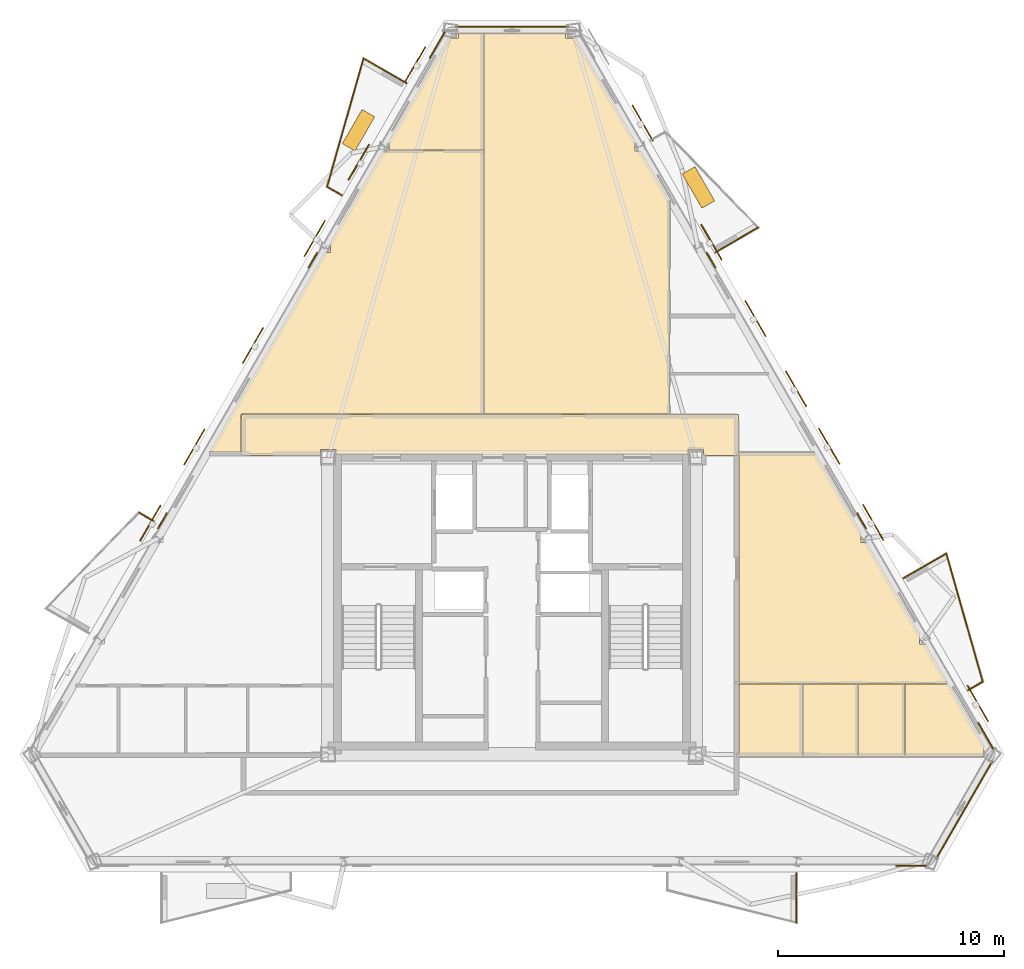
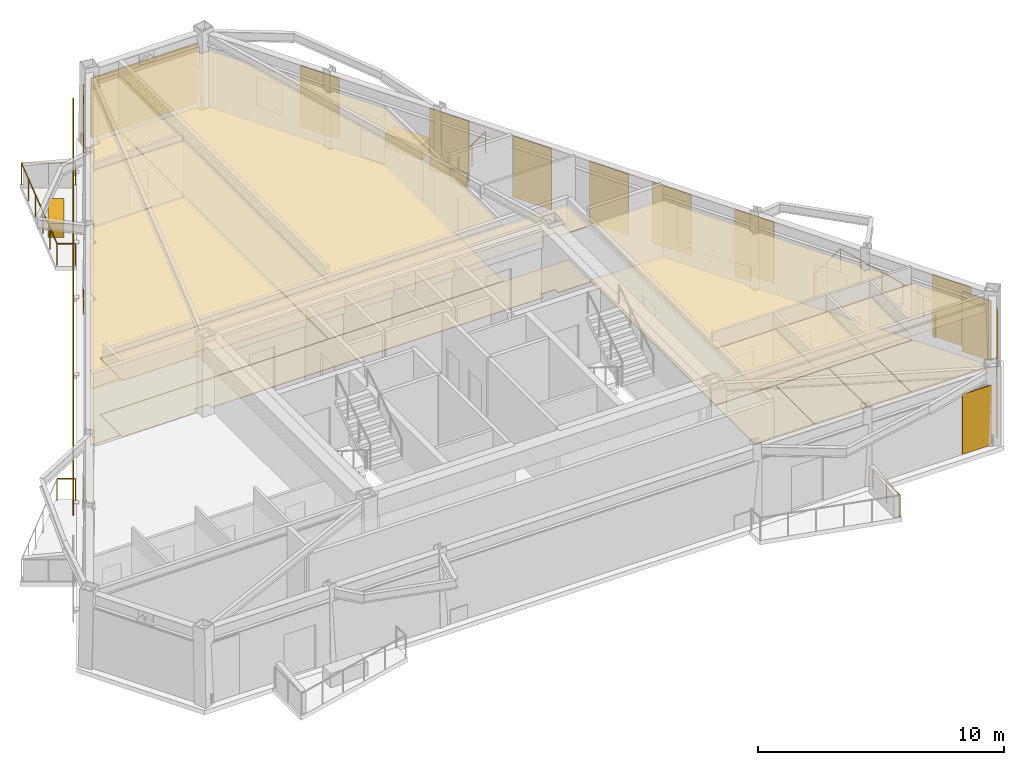
# One storey, part 8 of 9: 29 coverings, 13 shading devices, 9 railings.
"""IFC4 building model written with IfcOpenShell, lengths in metres."""

import ifcopenshell
import ifcopenshell.guid

model = None  # the IFC model being written
_history = None  # IfcOwnerHistory: only IFC2X3 demands one
_inside = {}  # id of a spatial element -> (the spatial element, [elements in it])
_under = {}  # id of a project, library or spatial element -> (it, [spatial elements below it])
_declared = {}  # id of a project -> (the project, [libraries it declares])
_typed = {}  # id of a type object -> (the type object, [elements of that type])
_made_of = {}  # id of a material, layer set ... -> (it, [elements and type objects made of it])


def new_model(schema):
    """Start an empty IFC model of exactly this schema.

    Asked for "IFC4X3", IfcOpenShell would pick the latest addendum, in which some entities
    have other attributes; the version numbers below select the first issue.
    IFC2X3 requires an IfcOwnerHistory on every rooted entity: one is made here for all.
    """
    global model, _history
    if schema == "IFC4X3":
        model = ifcopenshell.file(schema_version=(4, 3, 0, 0))
    else:
        model = ifcopenshell.file(schema=schema)
    _inside.clear()
    _under.clear()
    _declared.clear()
    _typed.clear()
    _made_of.clear()
    _history = None
    if model.schema == "IFC2X3":
        org = make("IfcOrganization", Name="unknown")
        user = make(
            "IfcPersonAndOrganization",
            ThePerson=make("IfcPerson", FamilyName="unknown"),
            TheOrganization=org,
        )
        app = make(
            "IfcApplication",
            ApplicationDeveloper=org,
            Version="unknown",
            ApplicationFullName="unknown",
            ApplicationIdentifier="unknown",
        )
        _history = make(
            "IfcOwnerHistory",
            OwningUser=user,
            OwningApplication=app,
            ChangeAction="ADDED",
            CreationDate=0,
        )
    return model


def make(cls, **values):
    """One entity of the class cls with the attributes given. An attribute that is None is left unset."""
    return model.create_entity(
        cls, **{name: value for name, value in values.items() if value is not None}
    )


def rooted(cls, **values):
    """An entity with a GlobalId (a new one), such as an element, a storey or a relation."""
    return make(cls, GlobalId=ifcopenshell.guid.new(), OwnerHistory=_history, **values)


def si_unit(unit_type, name, prefix=None):
    """IfcSIUnit, for example si_unit("LENGTHUNIT", "METRE", prefix="MILLI")."""
    return make("IfcSIUnit", UnitType=unit_type, Prefix=prefix, Name=name)


def assignment(units):
    """IfcUnitAssignment: the units of a project."""
    return None if units is None else make("IfcUnitAssignment", Units=units)


def point(xyz):
    """IfcCartesianPoint."""
    return None if xyz is None else make("IfcCartesianPoint", Coordinates=xyz)


def direction(xyz):
    """IfcDirection."""
    return None if xyz is None else make("IfcDirection", DirectionRatios=xyz)


def frame(location, z_axis=None, x_axis=None):
    """IfcAxis2Placement3D, a coordinate frame: its origin and axes. An axis left out is left unset."""
    return make(
        "IfcAxis2Placement3D",
        Location=point(location),
        Axis=direction(z_axis),
        RefDirection=direction(x_axis),
    )


def frame_2d(location, x_axis=None):
    """IfcAxis2Placement2D, a coordinate frame in the plane: its origin and x axis."""
    return make(
        "IfcAxis2Placement2D", Location=point(location), RefDirection=direction(x_axis)
    )


def origin():
    """The frame at (0, 0, 0) with its axes left unset."""
    return frame((0.0, 0.0, 0.0))


def origin_2d():
    """The frame at (0, 0) in the plane with its x axis left unset."""
    return frame_2d((0.0, 0.0))


def place(relative_to, where):
    """IfcLocalPlacement: puts the frame where relative to a parent placement (None: the world)."""
    return make(
        "IfcLocalPlacement", PlacementRelTo=relative_to, RelativePlacement=where
    )


def context(
    kind, dimensions, precision=None, world=None, true_north=None, identifier=None
):
    """IfcGeometricRepresentationContext, for example the 3D "Model" context."""
    return make(
        "IfcGeometricRepresentationContext",
        ContextIdentifier=identifier,
        ContextType=kind,
        CoordinateSpaceDimension=dimensions,
        Precision=precision,
        WorldCoordinateSystem=world,
        TrueNorth=true_north,
    )


def subcontext(parent, identifier, kind, view, scale=None):
    """IfcGeometricRepresentationSubContext, for example "Body" below "Model"."""
    return make(
        "IfcGeometricRepresentationSubContext",
        ContextIdentifier=identifier,
        ContextType=kind,
        ParentContext=parent,
        TargetScale=scale,
        TargetView=view,
    )


def project(units=None, contexts=None):
    """IfcProject with its units and contexts."""
    return rooted(
        "IfcProject",
        Name="project",
        RepresentationContexts=contexts,
        UnitsInContext=assignment(units),
    )


def spatial(cls, under=None, at=None, **own):
    """A site, building, storey or space (cls), placed at a placement, below another one or the project."""
    s = rooted(cls, ObjectPlacement=at, **own)
    if under is not None:
        _under.setdefault(under.id(), (under, []))[1].append(s)
    return s


def polyline(points):
    """IfcPolyline through the points."""
    return make("IfcPolyline", Points=[point(p) for p in points])


def profile(cls, at=None, kind="AREA", **sizes):
    """A parametric profile (cls). Its sizes go by their IFC names, for example OverallWidth=200.0."""
    return make(cls, ProfileType=kind, Position=at, **sizes)


def rectangle(**sizes):
    """IfcRectangleProfileDef."""
    return profile("IfcRectangleProfileDef", **sizes)


def circle(**sizes):
    """IfcCircleProfileDef."""
    return profile("IfcCircleProfileDef", **sizes)


def outline(outer, holes=None, kind="AREA"):
    """IfcArbitraryClosedProfileDef: a profile drawn as a closed curve; with holes, ...WithVoids."""
    if holes is None:
        return make("IfcArbitraryClosedProfileDef", ProfileType=kind, OuterCurve=outer)
    return make(
        "IfcArbitraryProfileDefWithVoids",
        ProfileType=kind,
        OuterCurve=outer,
        InnerCurves=holes,
    )


def extrude(swept, where, along, depth):
    """IfcExtrudedAreaSolid: the profile swept, set in the frame where, extruded along a direction by depth."""
    return make(
        "IfcExtrudedAreaSolid",
        SweptArea=swept,
        Position=where,
        ExtrudedDirection=direction(along),
        Depth=depth,
    )


def shape(context_of_items, identifier, shape_type, items):
    """IfcShapeRepresentation: the items that make up one representation, for example the "Body"."""
    return make(
        "IfcShapeRepresentation",
        ContextOfItems=context_of_items,
        RepresentationIdentifier=identifier,
        RepresentationType=shape_type,
        Items=items,
    )


def material(Name=None, Category=None):
    """IfcMaterial."""
    return make("IfcMaterial", Name=Name, Category=Category)


def layer(
    of_material, thickness, ventilated=None, Name=None, Category=None, Priority=None
):
    """IfcMaterialLayer: one layer of a wall or slab, of a material (None: an air gap)."""
    return make(
        "IfcMaterialLayer",
        Material=of_material,
        LayerThickness=thickness,
        IsVentilated=ventilated,
        Name=Name,
        Category=Category,
        Priority=Priority,
    )


def layer_set(layers, Name=None):
    """IfcMaterialLayerSet."""
    return make("IfcMaterialLayerSet", MaterialLayers=layers, LayerSetName=Name)


def made_of(thing, what):
    """Note that an element or type object is made of a material, layer set ...; save() writes the relation."""
    if what is not None:
        _made_of.setdefault(what.id(), (what, []))[1].append(thing)
    return thing


def type_object(cls, material=None, **own):
    """A type object (cls), such as IfcWallType, which elements share."""
    return made_of(rooted(cls, **own), material)


def element(
    cls,
    number,
    at=None,
    inside=None,
    cuts=None,
    type_object=None,
    material=None,
    context=None,
    identifier="Body",
    shape_type=None,
    held_by="IfcProductDefinitionShape",
    body=None,
    shapes=None,
    **own,
):
    """One element of the class cls, such as IfcWall. Its Tag is "e" and its number.

    at: its placement. inside: the storey or other place that contains it. cuts: it is an
    opening in that element (IfcRelVoidsElement). A single representation is given by context,
    identifier, shape_type and body (its items); several are given by shapes. held_by: the class
    of the entity that holds the representations. save() writes the other relations.
    """
    e = rooted(cls, Tag="e%d" % number, ObjectPlacement=at, **own)
    if body is not None:
        shapes = [shape(context, identifier, shape_type, body)]
    if shapes is not None:
        e.Representation = make(held_by, Representations=shapes)
    if inside is not None:
        _inside.setdefault(inside.id(), (inside, []))[1].append(e)
    if cuts is not None:
        rooted(
            "IfcRelVoidsElement", RelatingBuildingElement=cuts, RelatedOpeningElement=e
        )
    if type_object is not None:
        _typed.setdefault(type_object.id(), (type_object, []))[1].append(e)
    return made_of(e, material)


def aggregate(whole, parts):
    """IfcRelAggregates: a whole, such as a stair, and the parts it consists of."""
    return rooted("IfcRelAggregates", RelatingObject=whole, RelatedObjects=parts)


def save(model, path):
    """Write the relations noted so far, then the file.

    IfcRelAggregates (storeys below a building ...), IfcRelContainedInSpatialStructure (elements
    in a storey), IfcRelDefinesByType, IfcRelAssociatesMaterial and IfcRelDeclares: one each for
    every whole, place, type object, material and project.
    """
    for whole, parts in _under.values():
        aggregate(whole, parts)
    for where, things in _inside.values():
        rooted(
            "IfcRelContainedInSpatialStructure",
            RelatedElements=things,
            RelatingStructure=where,
        )
    for kind, things in _typed.values():
        rooted("IfcRelDefinesByType", RelatedObjects=things, RelatingType=kind)
    for what, things in _made_of.values():
        rooted("IfcRelAssociatesMaterial", RelatedObjects=things, RelatingMaterial=what)
    for by, libraries in _declared.values():
        rooted("IfcRelDeclares", RelatingContext=by, RelatedDefinitions=libraries)
    model.write(path)


model = new_model("IFC4")

# Units and contexts
model_context = context("Model", 3, precision=1e-05, world=origin(), true_north=direction((0.0, 1.0)))
body_context = subcontext(model_context, "Body", "Model", "MODEL_VIEW")
ifc_project = project(units=[si_unit("LENGTHUNIT", "METRE"), si_unit("AREAUNIT", "SQUARE_METRE"), si_unit("VOLUMEUNIT", "CUBIC_METRE"), si_unit("PLANEANGLEUNIT", "RADIAN"), si_unit("MASSUNIT", "GRAM", prefix="KILO")], contexts=[model_context])

# Site, building, storey
site_placement = place(None, origin())
site = spatial("IfcSite", under=ifc_project, at=site_placement, CompositionType="ELEMENT")
building_placement = place(site_placement, origin())
building = spatial("IfcBuilding", under=site, at=building_placement, Name="Oramaril Tower", CompositionType="ELEMENT")
storey_placement = place(building_placement, frame((0.0, 0.0, 249.89990234375)))
storey = spatial("IfcBuildingStorey", under=building, at=storey_placement, Name="L66", CompositionType="ELEMENT", Elevation=249.89990234375)

# Coverings
ifc_material_1 = material(Name="Mineral Fibre Acoustic Ceiling")
ifc_layer_1 = layer(ifc_material_1, 0.02001953125)
ifc_layer_set_1 = layer_set([ifc_layer_1], Name="CVT-CEIL")
covering_type_1 = type_object("IfcCoveringType", Name="CVT-CEIL", PredefinedType="CEILING", material=ifc_layer_set_1)
covering_1_placement = place(storey_placement, frame((0.0, 0.0, 2.81201171875)))
element("IfcCovering", 1, at=covering_1_placement, inside=storey, type_object=covering_type_1, Name="L66 Acoustic Suspended Ceiling 2", PredefinedType="CEILING", context=body_context, shape_type="SweptSolid", body=[
    extrude(outline(polyline([(47.530029296875, 24.239990234375), (45.9951171875, 24.239990234375), (45.9951171875, 24.4951171875), (45.304931640625, 24.4951171875), (45.304931640625, 24.25), (29.695068359375, 24.25), (29.695068359375, 24.4951171875), (29.0048828125, 24.4951171875), (29.0048828125, 24.239990234375), (25.52001953125, 24.239990234375), (25.52001953125, 26.050048828125), (47.530029296875, 26.050048828125), (47.530029296875, 24.239990234375)])), origin(), (0.0, 0.0, 1.0), 0.02001953125),
])
covering_2_placement = place(storey_placement, frame((0.0, 0.0, 2.81201171875)))
element("IfcCovering", 2, at=covering_2_placement, inside=storey, type_object=covering_type_1, Name="L66 Acoustic Suspended Ceiling 9", PredefinedType="CEILING", context=body_context, shape_type="SweptSolid", body=[
    extrude(outline(polyline([(52.97265625, 20.823486328125), (52.96142578125, 20.823486328125), (52.96142578125, 20.37109375), (53.23388671875, 20.37109375), (55.56640625, 16.331298828125), (55.55859375, 16.331298828125), (55.55859375, 15.87255859375), (55.8310546875, 15.87255859375), (56.83837890625, 14.1279296875), (47.550048828125, 14.1279296875), (47.550048828125, 24.219970703125), (47.5498046875, 24.221923828125), (47.549560546875, 24.223876953125), (47.549072265625, 24.225830078125), (47.548583984375, 24.227783203125), (47.547607421875, 24.2294921875), (47.54736328125, 24.22998046875), (47.547607421875, 24.230712890625), (47.548583984375, 24.232421875), (47.549072265625, 24.234130859375), (47.549560546875, 24.236083984375), (47.5498046875, 24.238037109375), (47.550048828125, 24.239990234375), (47.550048828125, 24.362060546875), (50.9296875, 24.362060546875), (52.97265625, 20.823486328125)])), origin(), (0.0, 0.0, 1.0), 0.02001953125),
])
covering_3_placement = place(storey_placement, frame((0.0, 0.0, 2.81201171875)))
element("IfcCovering", 3, at=covering_3_placement, inside=storey, type_object=covering_type_1, Name="L66 Acoustic Suspended Ceiling 10", PredefinedType="CEILING", context=body_context, shape_type="SweptSolid", body=[
    extrude(outline(polyline([(50.367919921875, 10.907958984375), (47.550048828125, 10.907958984375), (47.550048828125, 11.030029296875), (47.5498046875, 11.031982421875), (47.549560546875, 11.033935546875), (47.549072265625, 11.035888671875), (47.548583984375, 11.03759765625), (47.547607421875, 11.039306640625), (47.54736328125, 11.0400390625), (47.547607421875, 11.04052734375), (47.548583984375, 11.042236328125), (47.549072265625, 11.044189453125), (47.549560546875, 11.046142578125), (47.5498046875, 11.048095703125), (47.550048828125, 11.050048828125), (47.550048828125, 14.10791015625), (50.367919921875, 14.10791015625), (50.367919921875, 10.907958984375)])), origin(), (0.0, 0.0, 1.0), 0.02001953125),
])
covering_4_placement = place(storey_placement, frame((0.0, 0.0, 2.81201171875)))
element("IfcCovering", 4, at=covering_4_placement, inside=storey, type_object=covering_type_1, Name="L66 Acoustic Suspended Ceiling 11", PredefinedType="CEILING", context=body_context, shape_type="SweptSolid", body=[
    extrude(outline(polyline([(50.387939453125, 10.907958984375), (50.387939453125, 14.10791015625), (52.843505859375, 14.10791015625), (52.843505859375, 10.907958984375), (50.387939453125, 10.907958984375)])), origin(), (0.0, 0.0, 1.0), 0.02001953125),
])
covering_5_placement = place(storey_placement, frame((0.0, 0.0, 2.81201171875)))
element("IfcCovering", 5, at=covering_5_placement, inside=storey, type_object=covering_type_1, Name="L66 Acoustic Suspended Ceiling 12", PredefinedType="CEILING", context=body_context, shape_type="SweptSolid", body=[
    extrude(outline(polyline([(52.863525390625, 10.907958984375), (52.863525390625, 14.10791015625), (54.8935546875, 14.10791015625), (54.8935546875, 10.907958984375), (52.863525390625, 10.907958984375)])), origin(), (0.0, 0.0, 1.0), 0.02001953125),
])
covering_6_placement = place(storey_placement, frame((0.0, 0.0, 2.81201171875)))
element("IfcCovering", 6, at=covering_6_placement, inside=storey, type_object=covering_type_1, Name="L66 Acoustic Suspended Ceiling 13", PredefinedType="CEILING", context=body_context, shape_type="SweptSolid", body=[
    extrude(outline(polyline([(58.413330078125, 11.310546875), (58.413330078125, 10.907958984375), (54.91357421875, 10.907958984375), (54.91357421875, 14.10791015625), (56.83837890625, 14.10791015625), (56.84033203125, 14.108154296875), (56.84228515625, 14.1083984375), (56.84423828125, 14.10888671875), (56.845947265625, 14.109619140625), (56.847900390625, 14.1103515625), (56.84814453125, 14.110595703125), (58.46240234375, 11.310546875), (58.413330078125, 11.310546875)])), origin(), (0.0, 0.0, 1.0), 0.02001953125),
])
covering_7_placement = place(storey_placement, frame((0.0, 0.0, 2.81201171875)))
element("IfcCovering", 7, at=covering_7_placement, inside=storey, type_object=covering_type_1, Name="L66 Acoustic Suspended Ceiling 14", PredefinedType="CEILING", context=body_context, shape_type="SweptSolid", body=[
    extrude(outline(polyline([(29.1865234375, 33.2236328125), (29.458984375, 33.2236328125), (29.458984375, 33.658935546875), (29.43798828125, 33.658935546875), (31.78369140625, 37.72216796875), (32.05615234375, 37.72216796875), (32.05615234375, 37.760498046875), (36.241943359375, 37.760498046875), (36.241943359375, 26.070068359375), (25.52001953125, 26.070068359375), (25.51806640625, 26.06982421875), (25.51611328125, 26.069580078125), (25.51416015625, 26.069091796875), (25.51220703125, 26.068603515625), (25.510498046875, 26.067626953125), (25.5087890625, 26.066650390625), (25.50732421875, 26.0654296875), (25.505859375, 26.064208984375), (25.50439453125, 26.062744140625), (25.50341796875, 26.06103515625), (25.50244140625, 26.059326171875), (25.50146484375, 26.0576171875), (25.5009765625, 26.055908203125), (25.50048828125, 26.053955078125), (25.5, 26.052001953125), (25.5, 26.050048828125), (25.5, 24.382080078125), (24.081787109375, 24.382080078125), (29.1865234375, 33.2236328125)])), origin(), (0.0, 0.0, 1.0), 0.02001953125),
])
covering_8_placement = place(storey_placement, frame((0.0, 0.0, 2.81201171875)))
element("IfcCovering", 8, at=covering_8_placement, inside=storey, type_object=covering_type_1, Name="L66 Acoustic Suspended Ceiling 15", PredefinedType="CEILING", context=body_context, shape_type="SweptSolid", body=[
    extrude(outline(polyline([(32.05615234375, 38.1513671875), (32.031494140625, 38.1513671875), (34.686279296875, 42.74951171875), (35.1376953125, 42.74951171875), (35.1376953125, 42.970947265625), (36.241943359375, 42.970947265625), (36.241943359375, 37.780517578125), (32.05615234375, 37.780517578125), (32.05615234375, 38.1513671875)])), origin(), (0.0, 0.0, 1.0), 0.02001953125),
])
covering_9_placement = place(storey_placement, frame((0.0, 0.0, 2.81201171875)))
element("IfcCovering", 9, at=covering_9_placement, inside=storey, type_object=covering_type_1, Name="L66 Acoustic Suspended Ceiling 16", PredefinedType="CEILING", context=body_context, shape_type="SweptSolid", body=[
    extrude(outline(polyline([(39.8623046875, 42.970947265625), (39.8623046875, 42.74951171875), (40.313720703125, 42.74951171875), (42.968505859375, 38.1513671875), (42.94384765625, 38.1513671875), (42.94384765625, 37.72216796875), (43.21630859375, 37.72216796875), (44.47705078125, 35.538330078125), (44.47705078125, 26.070068359375), (36.261962890625, 26.070068359375), (36.261962890625, 37.760498046875), (36.261962890625, 37.762451171875), (36.26171875, 37.764404296875), (36.260986328125, 37.766357421875), (36.260498046875, 37.768310546875), (36.259521484375, 37.77001953125), (36.25927734375, 37.7705078125), (36.259521484375, 37.77099609375), (36.260498046875, 37.772705078125), (36.260986328125, 37.774658203125), (36.26171875, 37.776611328125), (36.261962890625, 37.778564453125), (36.261962890625, 37.780517578125), (36.261962890625, 42.970947265625), (39.8623046875, 42.970947265625)])), origin(), (0.0, 0.0, 1.0), 0.02001953125),
])
ifc_material_2 = material(Name="Warm Cream Limestone", Category="masonry")
ifc_layer_2 = layer(ifc_material_2, 0.050048828125)
ifc_layer_set_2 = layer_set([ifc_layer_2], Name="CVT-CLD")
covering_type_2 = type_object("IfcCoveringType", Name="CVT-CLD", PredefinedType="CLADDING", material=ifc_layer_set_2)
covering_10_placement = place(storey_placement, frame((55.17626953125, 6.0625, 0.0400390625), z_axis=(0.0, 0.0, 1.0), x_axis=(1.0, 0.0, 0.0)))
element("IfcCovering", 10, at=covering_10_placement, inside=storey, type_object=covering_type_2, Name="L66 Warm Cream Limestone Cladding", PredefinedType="CLADDING", context=body_context, shape_type="SweptSolid", body=[
    extrude(rectangle(XDim=1.35009765625, YDim=0.050048828125, at=origin_2d()), origin(), (0.0, 0.0, 1.0), 2.97802734375),
])
covering_11_placement = place(storey_placement, frame((57.5458984375, 8.526611328125, 0.0400390625), z_axis=(0.0, 0.0, 1.0), x_axis=(0.500001511499, 0.866024531118, 0.0)))
element("IfcCovering", 11, at=covering_11_placement, inside=storey, type_object=covering_type_2, Name="L66 Warm Cream Limestone Cladding", PredefinedType="CLADDING", context=body_context, shape_type="SweptSolid", body=[
    extrude(rectangle(XDim=4.996337890625, YDim=0.050048828125, at=origin_2d()), origin(), (0.0, 0.0, 1.0), 2.97802734375),
])
covering_12_placement = place(storey_placement, frame((58.494873046875, 11.810546875, 0.0400390625), z_axis=(0.0, 0.0, 1.0), x_axis=(-0.4999984885, 0.866026276448, 0.0)))
element("IfcCovering", 12, at=covering_12_placement, inside=storey, type_object=covering_type_2, Name="L66 Warm Cream Limestone Cladding", PredefinedType="CLADDING", context=body_context, shape_type="SweptSolid", body=[
    extrude(rectangle(XDim=1.35009765625, YDim=0.050048828125, at=origin_2d()), origin(), (0.0, 0.0, 1.0), 2.97802734375),
])
for number, where, z_axis, x_axis, name in (
    (13, (52.991455078125, 21.3427734375, 0.0400390625), (0.0, 0.0, 1.0), (-0.4999984885, 0.866026276448, 0.0), "L66 Warm Cream Limestone Spandrel Cladding"),
    (14, (46.322021484375, 32.894775390625, 0.0400390625), (0.0, 0.0, 1.0), (-0.4999984885, 0.866026276448, 0.0), "L66 Warm Cream Limestone Spandrel Cladding"),
):
    element("IfcCovering", number, at=place(storey_placement, frame(where, z_axis=z_axis, x_axis=x_axis)), inside=storey, type_object=covering_type_2, Name=name, PredefinedType="CLADDING", context=body_context, shape_type="SweptSolid", body=[
        extrude(rectangle(XDim=0.800048828125, YDim=0.050048828125, at=origin_2d()), origin(), (0.0, 0.0, 1.0), 0.679931640625),
    ])
covering_13_placement = place(storey_placement, frame((37.5, 43.2470703125, 0.0400390625), z_axis=(0.0, 0.0, 1.0), x_axis=(-1.0, 0.0, 0.0)))
element("IfcCovering", 15, at=covering_13_placement, inside=storey, type_object=covering_type_2, Name="L66 Warm Cream Limestone Cladding", PredefinedType="CLADDING", context=body_context, shape_type="SweptSolid", body=[
    extrude(rectangle(XDim=4.996337890625, YDim=0.050048828125, at=origin_2d()), origin(), (0.0, 0.0, 1.0), 2.97802734375),
])
covering_14_placement = place(storey_placement, frame((34.181396484375, 42.427001953125, 0.0400390625), z_axis=(0.0, 0.0, 1.0), x_axis=(-0.4999984885, -0.866026276448, 0.0)))
element("IfcCovering", 16, at=covering_14_placement, inside=storey, type_object=covering_type_2, Name="L66 Warm Cream Limestone Cladding", PredefinedType="CLADDING", context=body_context, shape_type="SweptSolid", body=[
    extrude(rectangle(XDim=1.35009765625, YDim=0.050048828125, at=origin_2d()), origin(), (0.0, 0.0, 1.0), 2.97802734375),
])
for number, where, z_axis, x_axis, name in (
    (17, (28.677978515625, 32.894775390625, 0.0400390625), (0.0, 0.0, 1.0), (-0.4999984885, -0.866026276448, 0.0), "L66 Warm Cream Limestone Spandrel Cladding"),
    (18, (22.008544921875, 21.3427734375, 0.0400390625), (0.0, 0.0, 1.0), (-0.4999984885, -0.866026276448, 0.0), "L66 Warm Cream Limestone Spandrel Cladding"),
):
    element("IfcCovering", number, at=place(storey_placement, frame(where, z_axis=z_axis, x_axis=x_axis)), inside=storey, type_object=covering_type_2, Name=name, PredefinedType="CLADDING", context=body_context, shape_type="SweptSolid", body=[
        extrude(rectangle(XDim=0.800048828125, YDim=0.050048828125, at=origin_2d()), origin(), (0.0, 0.0, 1.0), 0.679931640625),
    ])
for number, where, z_axis, x_axis, name in (
    (19, (45.76318359375, 36.11962890625, 0.0), (0.0, 0.0, 1.0), (-0.4999984885, 0.866026276448, 0.0), "L66 Structural Tree Planter Box L66-BAL-NE2"),
    (20, (30.69921875, 38.65283203125, 0.0), (0.0, 0.0, 1.0), (-0.4999984885, -0.866026276448, 0.0), "L66 Structural Tree Planter Box L66-BAL-NW1"),
):
    element("IfcCovering", number, at=place(storey_placement, frame(where, z_axis=z_axis, x_axis=x_axis)), inside=storey, type_object=covering_type_2, Name=name, PredefinedType="CLADDING", context=body_context, shape_type="SweptSolid", body=[
        extrude(rectangle(XDim=1.75, YDim=0.64990234375, at=origin_2d()), origin(), (0.0, 0.0, 1.0), 0.699951171875),
    ])
ifc_material_3 = material(Name="Honed Quartzite Stone Flooring", Category="masonry")
ifc_layer_3 = layer(ifc_material_3, 0.02490234375)
ifc_layer_set_3 = layer_set([ifc_layer_3], Name="CVT-FLR")
covering_type_3 = type_object("IfcCoveringType", Name="CVT-FLR", PredefinedType="FLOORING", material=ifc_layer_set_3)
covering_15_placement = place(storey_placement, origin())
element("IfcCovering", 21, at=covering_15_placement, inside=storey, type_object=covering_type_3, Name="L66 Honed Stone Floor Finish 2", PredefinedType="FLOORING", context=body_context, shape_type="SweptSolid", body=[
    extrude(outline(polyline([(47.530029296875, 24.239990234375), (45.9951171875, 24.239990234375), (45.9951171875, 24.4951171875), (45.304931640625, 24.4951171875), (45.304931640625, 24.25), (29.695068359375, 24.25), (29.695068359375, 24.4951171875), (29.0048828125, 24.4951171875), (29.0048828125, 24.239990234375), (25.52001953125, 24.239990234375), (25.52001953125, 26.050048828125), (47.530029296875, 26.050048828125), (47.530029296875, 24.239990234375)])), origin(), (0.0, 0.0, 1.0), 0.025146484375),
])
covering_16_placement = place(storey_placement, origin())
element("IfcCovering", 22, at=covering_16_placement, inside=storey, type_object=covering_type_3, Name="L66 Honed Stone Floor Finish 9", PredefinedType="FLOORING", context=body_context, shape_type="SweptSolid", body=[
    extrude(outline(polyline([(52.97265625, 20.823486328125), (52.96142578125, 20.823486328125), (52.96142578125, 20.37109375), (53.23388671875, 20.37109375), (55.56640625, 16.331298828125), (55.55859375, 16.331298828125), (55.55859375, 15.87255859375), (55.8310546875, 15.87255859375), (56.83837890625, 14.1279296875), (47.550048828125, 14.1279296875), (47.550048828125, 24.219970703125), (47.5498046875, 24.221923828125), (47.549560546875, 24.223876953125), (47.549072265625, 24.225830078125), (47.548583984375, 24.227783203125), (47.547607421875, 24.2294921875), (47.54736328125, 24.22998046875), (47.547607421875, 24.230712890625), (47.548583984375, 24.232421875), (47.549072265625, 24.234130859375), (47.549560546875, 24.236083984375), (47.5498046875, 24.238037109375), (47.550048828125, 24.239990234375), (47.550048828125, 24.362060546875), (50.9296875, 24.362060546875), (52.97265625, 20.823486328125)])), origin(), (0.0, 0.0, 1.0), 0.025146484375),
])
covering_17_placement = place(storey_placement, origin())
element("IfcCovering", 23, at=covering_17_placement, inside=storey, type_object=covering_type_3, Name="L66 Honed Stone Floor Finish 10", PredefinedType="FLOORING", context=body_context, shape_type="SweptSolid", body=[
    extrude(outline(polyline([(50.367919921875, 10.907958984375), (47.550048828125, 10.907958984375), (47.550048828125, 11.030029296875), (47.5498046875, 11.031982421875), (47.549560546875, 11.033935546875), (47.549072265625, 11.035888671875), (47.548583984375, 11.03759765625), (47.547607421875, 11.039306640625), (47.54736328125, 11.0400390625), (47.547607421875, 11.04052734375), (47.548583984375, 11.042236328125), (47.549072265625, 11.044189453125), (47.549560546875, 11.046142578125), (47.5498046875, 11.048095703125), (47.550048828125, 11.050048828125), (47.550048828125, 14.10791015625), (50.367919921875, 14.10791015625), (50.367919921875, 10.907958984375)])), origin(), (0.0, 0.0, 1.0), 0.025146484375),
])
covering_18_placement = place(storey_placement, origin())
element("IfcCovering", 24, at=covering_18_placement, inside=storey, type_object=covering_type_3, Name="L66 Honed Stone Floor Finish 11", PredefinedType="FLOORING", context=body_context, shape_type="SweptSolid", body=[
    extrude(outline(polyline([(50.387939453125, 10.907958984375), (50.387939453125, 14.10791015625), (52.843505859375, 14.10791015625), (52.843505859375, 10.907958984375), (50.387939453125, 10.907958984375)])), origin(), (0.0, 0.0, 1.0), 0.025146484375),
])
covering_19_placement = place(storey_placement, origin())
element("IfcCovering", 25, at=covering_19_placement, inside=storey, type_object=covering_type_3, Name="L66 Honed Stone Floor Finish 12", PredefinedType="FLOORING", context=body_context, shape_type="SweptSolid", body=[
    extrude(outline(polyline([(52.863525390625, 10.907958984375), (52.863525390625, 14.10791015625), (54.8935546875, 14.10791015625), (54.8935546875, 10.907958984375), (52.863525390625, 10.907958984375)])), origin(), (0.0, 0.0, 1.0), 0.025146484375),
])
covering_20_placement = place(storey_placement, origin())
element("IfcCovering", 26, at=covering_20_placement, inside=storey, type_object=covering_type_3, Name="L66 Honed Stone Floor Finish 13", PredefinedType="FLOORING", context=body_context, shape_type="SweptSolid", body=[
    extrude(outline(polyline([(58.413330078125, 11.310546875), (58.413330078125, 10.907958984375), (54.91357421875, 10.907958984375), (54.91357421875, 14.10791015625), (56.83837890625, 14.10791015625), (56.84033203125, 14.108154296875), (56.84228515625, 14.1083984375), (56.84423828125, 14.10888671875), (56.845947265625, 14.109619140625), (56.847900390625, 14.1103515625), (56.84814453125, 14.110595703125), (58.46240234375, 11.310546875), (58.413330078125, 11.310546875)])), origin(), (0.0, 0.0, 1.0), 0.025146484375),
])
covering_21_placement = place(storey_placement, origin())
element("IfcCovering", 27, at=covering_21_placement, inside=storey, type_object=covering_type_3, Name="L66 Honed Stone Floor Finish 14", PredefinedType="FLOORING", context=body_context, shape_type="SweptSolid", body=[
    extrude(outline(polyline([(29.1865234375, 33.2236328125), (29.458984375, 33.2236328125), (29.458984375, 33.658935546875), (29.43798828125, 33.658935546875), (31.78369140625, 37.72216796875), (32.05615234375, 37.72216796875), (32.05615234375, 37.760498046875), (36.241943359375, 37.760498046875), (36.241943359375, 26.070068359375), (25.52001953125, 26.070068359375), (25.51806640625, 26.06982421875), (25.51611328125, 26.069580078125), (25.51416015625, 26.069091796875), (25.51220703125, 26.068603515625), (25.510498046875, 26.067626953125), (25.5087890625, 26.066650390625), (25.50732421875, 26.0654296875), (25.505859375, 26.064208984375), (25.50439453125, 26.062744140625), (25.50341796875, 26.06103515625), (25.50244140625, 26.059326171875), (25.50146484375, 26.0576171875), (25.5009765625, 26.055908203125), (25.50048828125, 26.053955078125), (25.5, 26.052001953125), (25.5, 26.050048828125), (25.5, 24.382080078125), (24.081787109375, 24.382080078125), (29.1865234375, 33.2236328125)])), origin(), (0.0, 0.0, 1.0), 0.025146484375),
])
covering_22_placement = place(storey_placement, origin())
element("IfcCovering", 28, at=covering_22_placement, inside=storey, type_object=covering_type_3, Name="L66 Honed Stone Floor Finish 15", PredefinedType="FLOORING", context=body_context, shape_type="SweptSolid", body=[
    extrude(outline(polyline([(32.05615234375, 38.1513671875), (32.031494140625, 38.1513671875), (34.686279296875, 42.74951171875), (35.1376953125, 42.74951171875), (35.1376953125, 42.970947265625), (36.241943359375, 42.970947265625), (36.241943359375, 37.780517578125), (32.05615234375, 37.780517578125), (32.05615234375, 38.1513671875)])), origin(), (0.0, 0.0, 1.0), 0.025146484375),
])
covering_23_placement = place(storey_placement, origin())
element("IfcCovering", 29, at=covering_23_placement, inside=storey, type_object=covering_type_3, Name="L66 Honed Stone Floor Finish 16", PredefinedType="FLOORING", context=body_context, shape_type="SweptSolid", body=[
    extrude(outline(polyline([(39.8623046875, 42.970947265625), (39.8623046875, 42.74951171875), (40.313720703125, 42.74951171875), (42.968505859375, 38.1513671875), (42.94384765625, 38.1513671875), (42.94384765625, 37.72216796875), (43.21630859375, 37.72216796875), (44.47705078125, 35.538330078125), (44.47705078125, 26.070068359375), (36.261962890625, 26.070068359375), (36.261962890625, 37.760498046875), (36.261962890625, 37.762451171875), (36.26171875, 37.764404296875), (36.260986328125, 37.766357421875), (36.260498046875, 37.768310546875), (36.259521484375, 37.77001953125), (36.25927734375, 37.7705078125), (36.259521484375, 37.77099609375), (36.260498046875, 37.772705078125), (36.260986328125, 37.774658203125), (36.26171875, 37.776611328125), (36.261962890625, 37.778564453125), (36.261962890625, 37.780517578125), (36.261962890625, 42.970947265625), (39.8623046875, 42.970947265625)])), origin(), (0.0, 0.0, 1.0), 0.025146484375),
])

# Railings
ifc_material_4 = material(Name="Stainless Steel 316L", Category="steel")
railing_type = type_object("IfcRailingType", Name="RLT-GRD", PredefinedType="GUARDRAIL", material=ifc_material_4)
railing_1_placement = place(storey_placement, frame((50.106689453125, 5.722412109375, 0.0)))
element("IfcRailing", 30, at=railing_1_placement, inside=storey, type_object=railing_type, Name="L66 Balcony Guardrail L66-BAL-S2.1", PredefinedType="GUARDRAIL", context=body_context, shape_type="SweptSolid", body=[
    extrude(circle(Radius=0.02392578125, at=origin_2d()), frame((0.0, 0.0, 1.076171875), z_axis=(0.0, -1.0, 0.0), x_axis=(1.0, 0.0, 0.0)), (0.0, 0.0, 1.0), 2.19189453125),
    extrude(circle(Radius=0.02099609375, at=origin_2d()), origin(), (0.0, 0.0, 1.0), 1.052001953125),
    extrude(circle(Radius=0.02099609375, at=origin_2d()), frame((0.0, -1.095947265625, 0.0)), (0.0, 0.0, 1.0), 1.052001953125),
    extrude(circle(Radius=0.02099609375, at=origin_2d()), frame((0.0, -2.19189453125, 0.0)), (0.0, 0.0, 1.0), 1.052001953125),
])
railing_2_placement = place(storey_placement, frame((54.852294921875, 18.800048828125, 0.0)))
element("IfcRailing", 31, at=railing_2_placement, inside=storey, type_object=railing_type, Name="L66 Balcony Guardrail L66-BAL-NE1.1", PredefinedType="GUARDRAIL", context=body_context, shape_type="SweptSolid", body=[
    extrude(circle(Radius=0.02392578125, at=origin_2d()), frame((0.0, 0.0, 1.076171875), z_axis=(0.866020500697, 0.5000084923, 0.0), x_axis=(-0.5000084923, 0.866020500697, 0.0)), (0.0, 0.0, 1.0), 2.19189453125),
    extrude(circle(Radius=0.02099609375, at=origin_2d()), origin(), (0.0, 0.0, 1.0), 1.052001953125),
    extrude(circle(Radius=0.02099609375, at=origin_2d()), frame((0.94921875, 0.5478515625, 0.0)), (0.0, 0.0, 1.0), 1.052001953125),
    extrude(circle(Radius=0.02099609375, at=origin_2d()), frame((1.898193359375, 1.095947265625, 0.0)), (0.0, 0.0, 1.0), 1.052001953125),
])
railing_3_placement = place(storey_placement, frame((56.75048828125, 19.89599609375, 0.0)))
element("IfcRailing", 32, at=railing_3_placement, inside=storey, type_object=railing_type, Name="L66 Balcony Guardrail L66-BAL-NE1.2", PredefinedType="GUARDRAIL", context=body_context, shape_type="SweptSolid", body=[
    extrude(circle(Radius=0.02392578125, at=origin_2d()), frame((0.0, 0.0, 1.076171875), z_axis=(0.27224886544, -0.962226873074, 0.0), x_axis=(0.962226873074, 0.27224886544, 0.0)), (0.0, 0.0, 1.0), 5.910400390625),
    extrude(circle(Radius=0.02099609375, at=origin_2d()), origin(), (0.0, 0.0, 1.0), 1.052001953125),
    extrude(circle(Radius=0.02099609375, at=origin_2d()), frame((0.32177734375, -1.137451171875, 0.0)), (0.0, 0.0, 1.0), 1.052001953125),
    extrude(circle(Radius=0.02099609375, at=origin_2d()), frame((0.6435546875, -2.27490234375, 0.0)), (0.0, 0.0, 1.0), 1.052001953125),
    extrude(circle(Radius=0.02099609375, at=origin_2d()), frame((0.965576171875, -3.412353515625, 0.0)), (0.0, 0.0, 1.0), 1.052001953125),
    extrude(circle(Radius=0.02099609375, at=origin_2d()), frame((1.287353515625, -4.5498046875, 0.0)), (0.0, 0.0, 1.0), 1.052001953125),
    extrude(circle(Radius=0.02099609375, at=origin_2d()), frame((1.609130859375, -5.687255859375, 0.0)), (0.0, 0.0, 1.0), 1.052001953125),
])
railing_4_placement = place(storey_placement, frame((58.359619140625, 14.208740234375, 0.0)))
element("IfcRailing", 33, at=railing_4_placement, inside=storey, type_object=railing_type, Name="L66 Balcony Guardrail L66-BAL-NE1.3", PredefinedType="GUARDRAIL", context=body_context, shape_type="SweptSolid", body=[
    extrude(circle(Radius=0.02392578125, at=origin_2d()), frame((0.0, 0.0, 1.076171875), z_axis=(-0.866026623601, -0.49999788721, 0.0), x_axis=(0.49999788721, -0.866026623601, 0.0)), (0.0, 0.0, 1.0), 0.74169921875),
    extrude(circle(Radius=0.02099609375, at=origin_2d()), origin(), (0.0, 0.0, 1.0), 1.052001953125),
    extrude(circle(Radius=0.02099609375, at=origin_2d()), frame((-0.642333984375, -0.370849609375, 0.0)), (0.0, 0.0, 1.0), 1.052001953125),
])
railing_5_placement = place(storey_placement, frame((48.4111328125, 34.34033203125, 0.0)))
element("IfcRailing", 34, at=railing_5_placement, inside=storey, type_object=railing_type, Name="L66 Balcony Guardrail L66-BAL-NE2.3", PredefinedType="GUARDRAIL", context=body_context, shape_type="SweptSolid", body=[
    extrude(circle(Radius=0.02392578125, at=origin_2d()), frame((0.0, 0.0, 1.076171875), z_axis=(-0.866020500697, -0.5000084923, 0.0), x_axis=(0.5000084923, -0.866020500697, 0.0)), (0.0, 0.0, 1.0), 2.19189453125),
    extrude(circle(Radius=0.02099609375, at=origin_2d()), origin(), (0.0, 0.0, 1.0), 1.052001953125),
    extrude(circle(Radius=0.02099609375, at=origin_2d()), frame((-0.94921875, -0.5478515625, 0.0)), (0.0, 0.0, 1.0), 1.052001953125),
    extrude(circle(Radius=0.02099609375, at=origin_2d()), frame((-1.898193359375, -1.095947265625, 0.0)), (0.0, 0.0, 1.0), 1.052001953125),
])
railing_6_placement = place(storey_placement, frame((29.94970703125, 35.777587890625, 0.0)))
element("IfcRailing", 35, at=railing_6_placement, inside=storey, type_object=railing_type, Name="L66 Balcony Guardrail L66-BAL-NW1.1", PredefinedType="GUARDRAIL", context=body_context, shape_type="SweptSolid", body=[
    extrude(circle(Radius=0.02392578125, at=origin_2d()), frame((0.0, 0.0, 1.076171875), z_axis=(-0.866108878364, 0.499855389907, 0.0), x_axis=(-0.499855389907, -0.866108878364, 0.0)), (0.0, 0.0, 1.0), 0.741943359375),
    extrude(circle(Radius=0.02099609375, at=origin_2d()), origin(), (0.0, 0.0, 1.0), 1.052001953125),
    extrude(circle(Radius=0.02099609375, at=origin_2d()), frame((-0.642578125, 0.370849609375, 0.0)), (0.0, 0.0, 1.0), 1.052001953125),
])
railing_7_placement = place(storey_placement, frame((29.30712890625, 36.1484375, 0.0)))
element("IfcRailing", 36, at=railing_7_placement, inside=storey, type_object=railing_type, Name="L66 Balcony Guardrail L66-BAL-NW1.2", PredefinedType="GUARDRAIL", context=body_context, shape_type="SweptSolid", body=[
    extrude(circle(Radius=0.02392578125, at=origin_2d()), frame((0.0, 0.0, 1.076171875), z_axis=(0.27224886544, 0.962226873074, 0.0), x_axis=(-0.962226873074, 0.27224886544, 0.0)), (0.0, 0.0, 1.0), 5.910400390625),
    extrude(circle(Radius=0.02099609375, at=origin_2d()), origin(), (0.0, 0.0, 1.0), 1.052001953125),
    extrude(circle(Radius=0.02099609375, at=origin_2d()), frame((0.32177734375, 1.137451171875, 0.0)), (0.0, 0.0, 1.0), 1.052001953125),
    extrude(circle(Radius=0.02099609375, at=origin_2d()), frame((0.6435546875, 2.27490234375, 0.0)), (0.0, 0.0, 1.0), 1.052001953125),
    extrude(circle(Radius=0.02099609375, at=origin_2d()), frame((0.965576171875, 3.412353515625, 0.0)), (0.0, 0.0, 1.0), 1.052001953125),
    extrude(circle(Radius=0.02099609375, at=origin_2d()), frame((1.287353515625, 4.5498046875, 0.0)), (0.0, 0.0, 1.0), 1.052001953125),
    extrude(circle(Radius=0.02099609375, at=origin_2d()), frame((1.609130859375, 5.687255859375, 0.0)), (0.0, 0.0, 1.0), 1.052001953125),
])
railing_8_placement = place(storey_placement, frame((30.916259765625, 41.835693359375, 0.0)))
element("IfcRailing", 37, at=railing_8_placement, inside=storey, type_object=railing_type, Name="L66 Balcony Guardrail L66-BAL-NW1.3", PredefinedType="GUARDRAIL", context=body_context, shape_type="SweptSolid", body=[
    extrude(circle(Radius=0.02392578125, at=origin_2d()), frame((0.0, 0.0, 1.076171875), z_axis=(0.866048343933, -0.499960264392, 0.0), x_axis=(0.499960264392, 0.866048343933, 0.0)), (0.0, 0.0, 1.0), 2.192138671875),
    extrude(circle(Radius=0.02099609375, at=origin_2d()), origin(), (0.0, 0.0, 1.0), 1.052001953125),
    extrude(circle(Radius=0.02099609375, at=origin_2d()), frame((0.94921875, -0.5478515625, 0.0)), (0.0, 0.0, 1.0), 1.052001953125),
    extrude(circle(Radius=0.02099609375, at=origin_2d()), frame((1.8984375, -1.095947265625, 0.0)), (0.0, 0.0, 1.0), 1.052001953125),
])
railing_9_placement = place(storey_placement, frame((20.9677734375, 21.7041015625, 0.0)))
element("IfcRailing", 38, at=railing_9_placement, inside=storey, type_object=railing_type, Name="L66 Balcony Guardrail L66-BAL-NW2.3", PredefinedType="GUARDRAIL", context=body_context, shape_type="SweptSolid", body=[
    extrude(circle(Radius=0.02392578125, at=origin_2d()), frame((0.0, 0.0, 1.076171875), z_axis=(0.866108878364, -0.499855389907, 0.0), x_axis=(0.499855389907, 0.866108878364, 0.0)), (0.0, 0.0, 1.0), 0.741943359375),
    extrude(circle(Radius=0.02099609375, at=origin_2d()), origin(), (0.0, 0.0, 1.0), 1.052001953125),
    extrude(circle(Radius=0.02099609375, at=origin_2d()), frame((0.642578125, -0.370849609375, 0.0)), (0.0, 0.0, 1.0), 1.052001953125),
])

# Shading devices
for number, where, z_axis, x_axis, name in (
    (39, (53.509521484375, 21.269287109375, -0.02001953125), (0.0, 0.0, 1.0), (-0.4999984885, 0.866026276448, 0.0), "L66 Perforated Ceramic Solar Screen"),
    (40, (51.5595703125, 24.64697265625, -0.02001953125), (0.0, 0.0, 1.0), (-0.4999984885, 0.866026276448, 0.0), "L66 Perforated Ceramic Solar Screen"),
    (41, (58.143798828125, 13.242919921875, -0.02001953125), (0.0, 0.0, 1.0), (-0.4999984885, 0.866026276448, 0.0), "L66 Perforated Ceramic Solar Screen"),
    (42, (43.28759765625, 38.974365234375, -0.02001953125), (0.0, 0.0, 1.0), (-0.4999984885, 0.866026276448, 0.0), "L66 Perforated Ceramic Solar Screen"),
    (43, (50.0908203125, 27.19091796875, -0.02001953125), (0.0, 0.0, 1.0), (-0.4999984885, 0.866026276448, 0.0), "L66 Perforated Ceramic Solar Screen"),
    (44, (48.2880859375, 30.313232421875, -0.02001953125), (0.0, 0.0, 1.0), (-0.4999984885, 0.866026276448, 0.0), "L66 Perforated Ceramic Solar Screen"),
    (45, (46.338134765625, 33.69091796875, -0.02001953125), (0.0, 0.0, 1.0), (-0.4999984885, 0.866026276448, 0.0), "L66 Perforated Ceramic Solar Screen"),
    (46, (23.423095703125, 24.616943359375, -0.02001953125), (0.0, 0.0, 1.0), (-0.4999984885, -0.866026276448, 0.0), "L66 Perforated Ceramic Solar Screen"),
    (47, (21.47314453125, 21.239501953125, -0.02001953125), (0.0, 0.0, 1.0), (-0.4999984885, -0.866026276448, 0.0), "L66 Perforated Ceramic Solar Screen"),
    (48, (30.70703125, 37.2333984375, -0.02001953125), (0.0, 0.0, 1.0), (-0.4999984885, -0.866026276448, 0.0), "L66 Perforated Ceramic Solar Screen"),
    (49, (28.757080078125, 33.855712890625, -0.02001953125), (0.0, 0.0, 1.0), (-0.4999984885, -0.866026276448, 0.0), "L66 Perforated Ceramic Solar Screen"),
    (50, (26.019775390625, 29.114501953125, -0.02001953125), (0.0, 0.0, 1.0), (-0.4999984885, -0.866026276448, 0.0), "L66 Perforated Ceramic Solar Screen"),
    (51, (33.202392578125, 41.5556640625, -0.02001953125), (0.0, 0.0, 1.0), (-0.4999984885, -0.866026276448, 0.0), "L66 Perforated Ceramic Solar Screen"),
):
    element("IfcShadingDevice", number, at=place(storey_placement, frame(where, z_axis=z_axis, x_axis=x_axis)), inside=storey, Name=name, ObjectType="SCREEN", PredefinedType="USERDEFINED", context=body_context, shape_type="SweptSolid", body=[
        extrude(rectangle(XDim=1.8330078125, YDim=0.050048828125, at=origin_2d()), origin(), (0.0, 0.0, 1.0), 3.05810546875),
    ])

save(model, "model.ifc")
